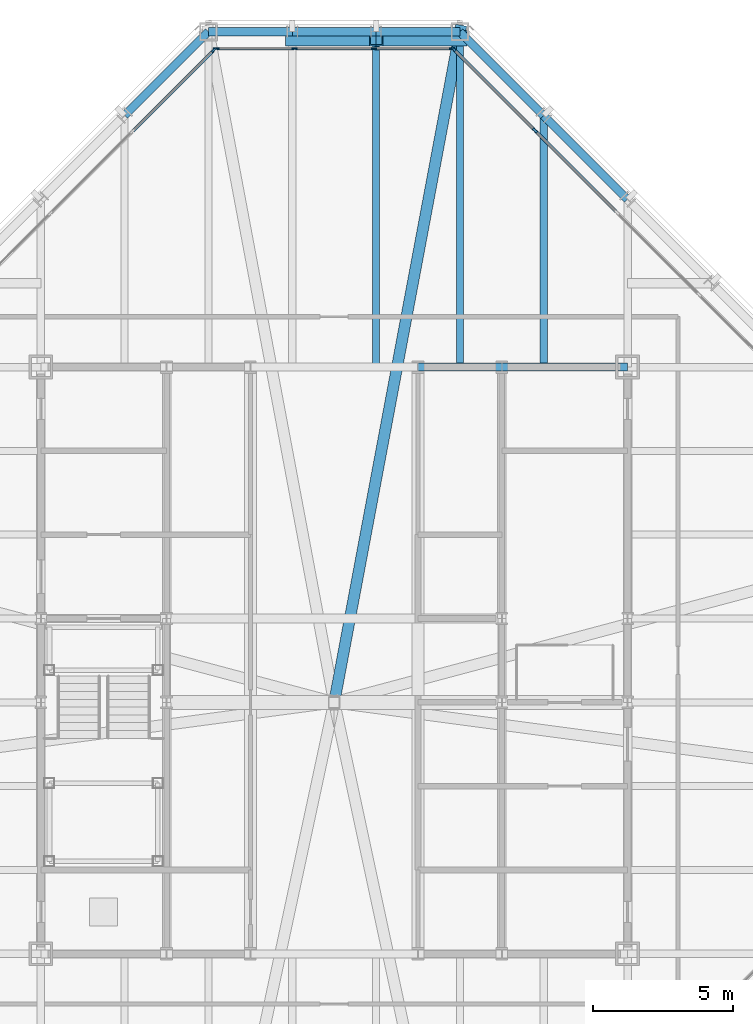
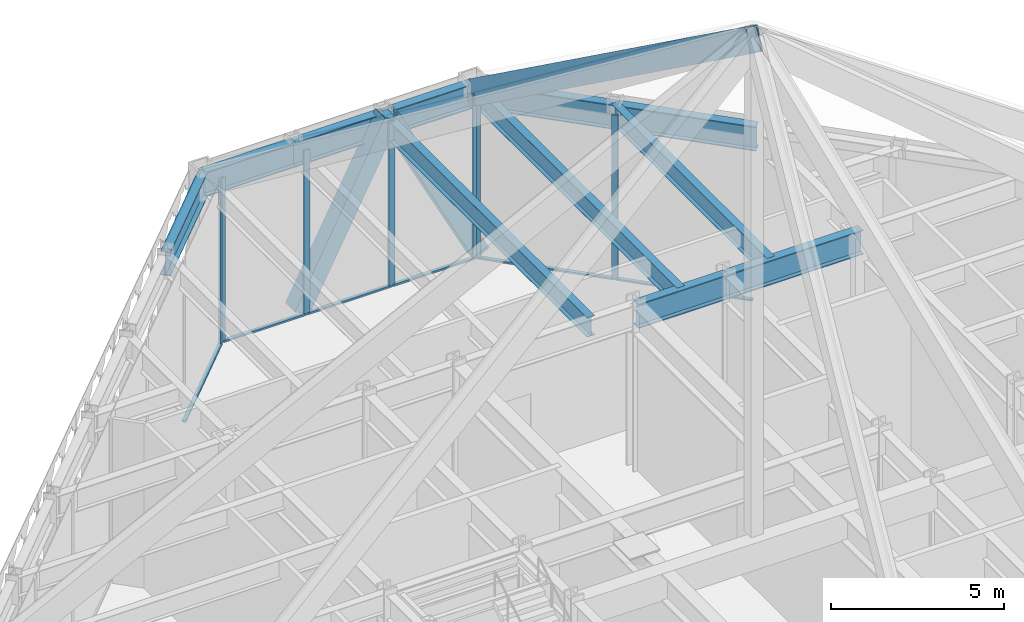
# One storey, part 11 of 30: 16 members, 11 beams, 3 elements without a shape of their own.
"""IFC4 building model written with IfcOpenShell, lengths in metres."""

import ifcopenshell
import ifcopenshell.guid

model = None  # the IFC model being written
_history = None  # IfcOwnerHistory: only IFC2X3 demands one
_inside = {}  # id of a spatial element -> (the spatial element, [elements in it])
_under = {}  # id of a project, library or spatial element -> (it, [spatial elements below it])
_declared = {}  # id of a project -> (the project, [libraries it declares])
_typed = {}  # id of a type object -> (the type object, [elements of that type])
_made_of = {}  # id of a material, layer set ... -> (it, [elements and type objects made of it])


def new_model(schema):
    """Start an empty IFC model of exactly this schema.

    Asked for "IFC4X3", IfcOpenShell would pick the latest addendum, in which some entities
    have other attributes; the version numbers below select the first issue.
    IFC2X3 requires an IfcOwnerHistory on every rooted entity: one is made here for all.
    """
    global model, _history
    if schema == "IFC4X3":
        model = ifcopenshell.file(schema_version=(4, 3, 0, 0))
    else:
        model = ifcopenshell.file(schema=schema)
    _inside.clear()
    _under.clear()
    _declared.clear()
    _typed.clear()
    _made_of.clear()
    _history = None
    if model.schema == "IFC2X3":
        org = make("IfcOrganization", Name="unknown")
        user = make(
            "IfcPersonAndOrganization",
            ThePerson=make("IfcPerson", FamilyName="unknown"),
            TheOrganization=org,
        )
        app = make(
            "IfcApplication",
            ApplicationDeveloper=org,
            Version="unknown",
            ApplicationFullName="unknown",
            ApplicationIdentifier="unknown",
        )
        _history = make(
            "IfcOwnerHistory",
            OwningUser=user,
            OwningApplication=app,
            ChangeAction="ADDED",
            CreationDate=0,
        )
    return model


def make(cls, **values):
    """One entity of the class cls with the attributes given. An attribute that is None is left unset."""
    return model.create_entity(
        cls, **{name: value for name, value in values.items() if value is not None}
    )


def rooted(cls, **values):
    """An entity with a GlobalId (a new one), such as an element, a storey or a relation."""
    return make(cls, GlobalId=ifcopenshell.guid.new(), OwnerHistory=_history, **values)


def si_unit(unit_type, name, prefix=None):
    """IfcSIUnit, for example si_unit("LENGTHUNIT", "METRE", prefix="MILLI")."""
    return make("IfcSIUnit", UnitType=unit_type, Prefix=prefix, Name=name)


def assignment(units):
    """IfcUnitAssignment: the units of a project."""
    return None if units is None else make("IfcUnitAssignment", Units=units)


def point(xyz):
    """IfcCartesianPoint."""
    return None if xyz is None else make("IfcCartesianPoint", Coordinates=xyz)


def direction(xyz):
    """IfcDirection."""
    return None if xyz is None else make("IfcDirection", DirectionRatios=xyz)


def frame(location, z_axis=None, x_axis=None):
    """IfcAxis2Placement3D, a coordinate frame: its origin and axes. An axis left out is left unset."""
    return make(
        "IfcAxis2Placement3D",
        Location=point(location),
        Axis=direction(z_axis),
        RefDirection=direction(x_axis),
    )


def frame_2d(location, x_axis=None):
    """IfcAxis2Placement2D, a coordinate frame in the plane: its origin and x axis."""
    return make(
        "IfcAxis2Placement2D", Location=point(location), RefDirection=direction(x_axis)
    )


def origin():
    """The frame at (0, 0, 0) with its axes left unset."""
    return frame((0.0, 0.0, 0.0))


def origin_2d():
    """The frame at (0, 0) in the plane with its x axis left unset."""
    return frame_2d((0.0, 0.0))


def place(relative_to, where):
    """IfcLocalPlacement: puts the frame where relative to a parent placement (None: the world)."""
    return make(
        "IfcLocalPlacement", PlacementRelTo=relative_to, RelativePlacement=where
    )


def context(
    kind, dimensions, precision=None, world=None, true_north=None, identifier=None
):
    """IfcGeometricRepresentationContext, for example the 3D "Model" context."""
    return make(
        "IfcGeometricRepresentationContext",
        ContextIdentifier=identifier,
        ContextType=kind,
        CoordinateSpaceDimension=dimensions,
        Precision=precision,
        WorldCoordinateSystem=world,
        TrueNorth=true_north,
    )


def subcontext(parent, identifier, kind, view, scale=None):
    """IfcGeometricRepresentationSubContext, for example "Body" below "Model"."""
    return make(
        "IfcGeometricRepresentationSubContext",
        ContextIdentifier=identifier,
        ContextType=kind,
        ParentContext=parent,
        TargetScale=scale,
        TargetView=view,
    )


def project(units=None, contexts=None):
    """IfcProject with its units and contexts."""
    return rooted(
        "IfcProject",
        Name="project",
        RepresentationContexts=contexts,
        UnitsInContext=assignment(units),
    )


def spatial(cls, under=None, at=None, **own):
    """A site, building, storey or space (cls), placed at a placement, below another one or the project."""
    s = rooted(cls, ObjectPlacement=at, **own)
    if under is not None:
        _under.setdefault(under.id(), (under, []))[1].append(s)
    return s


def profile(cls, at=None, kind="AREA", **sizes):
    """A parametric profile (cls). Its sizes go by their IFC names, for example OverallWidth=200.0."""
    return make(cls, ProfileType=kind, Position=at, **sizes)


def rectangle(**sizes):
    """IfcRectangleProfileDef."""
    return profile("IfcRectangleProfileDef", **sizes)


def hollow_rectangle(**sizes):
    """IfcRectangleHollowProfileDef."""
    return profile("IfcRectangleHollowProfileDef", **sizes)


def i_section(**sizes):
    """IfcIShapeProfileDef."""
    return profile("IfcIShapeProfileDef", **sizes)


def extrude(swept, where, along, depth):
    """IfcExtrudedAreaSolid: the profile swept, set in the frame where, extruded along a direction by depth."""
    return make(
        "IfcExtrudedAreaSolid",
        SweptArea=swept,
        Position=where,
        ExtrudedDirection=direction(along),
        Depth=depth,
    )


def shape(context_of_items, identifier, shape_type, items):
    """IfcShapeRepresentation: the items that make up one representation, for example the "Body"."""
    return make(
        "IfcShapeRepresentation",
        ContextOfItems=context_of_items,
        RepresentationIdentifier=identifier,
        RepresentationType=shape_type,
        Items=items,
    )


def material(Name=None, Category=None):
    """IfcMaterial."""
    return make("IfcMaterial", Name=Name, Category=Category)


def layer(
    of_material, thickness, ventilated=None, Name=None, Category=None, Priority=None
):
    """IfcMaterialLayer: one layer of a wall or slab, of a material (None: an air gap)."""
    return make(
        "IfcMaterialLayer",
        Material=of_material,
        LayerThickness=thickness,
        IsVentilated=ventilated,
        Name=Name,
        Category=Category,
        Priority=Priority,
    )


def layer_set(layers, Name=None):
    """IfcMaterialLayerSet."""
    return make("IfcMaterialLayerSet", MaterialLayers=layers, LayerSetName=Name)


def material_profile(
    of_material, cross_section, Name=None, Category=None, Priority=None
):
    """IfcMaterialProfile: a cross section and its material."""
    return make(
        "IfcMaterialProfile",
        Name=Name,
        Material=of_material,
        Profile=cross_section,
        Priority=Priority,
        Category=Category,
    )


def profile_set(profiles, Name=None, composite=None):
    """IfcMaterialProfileSet."""
    return make(
        "IfcMaterialProfileSet",
        Name=Name,
        MaterialProfiles=profiles,
        CompositeProfile=composite,
    )


def made_of(thing, what):
    """Note that an element or type object is made of a material, layer set ...; save() writes the relation."""
    if what is not None:
        _made_of.setdefault(what.id(), (what, []))[1].append(thing)
    return thing


def type_object(cls, material=None, **own):
    """A type object (cls), such as IfcWallType, which elements share."""
    return made_of(rooted(cls, **own), material)


def element(
    cls,
    number,
    at=None,
    inside=None,
    cuts=None,
    type_object=None,
    material=None,
    context=None,
    identifier="Body",
    shape_type=None,
    held_by="IfcProductDefinitionShape",
    body=None,
    shapes=None,
    **own,
):
    """One element of the class cls, such as IfcWall. Its Tag is "e" and its number.

    at: its placement. inside: the storey or other place that contains it. cuts: it is an
    opening in that element (IfcRelVoidsElement). A single representation is given by context,
    identifier, shape_type and body (its items); several are given by shapes. held_by: the class
    of the entity that holds the representations. save() writes the other relations.
    """
    e = rooted(cls, Tag="e%d" % number, ObjectPlacement=at, **own)
    if body is not None:
        shapes = [shape(context, identifier, shape_type, body)]
    if shapes is not None:
        e.Representation = make(held_by, Representations=shapes)
    if inside is not None:
        _inside.setdefault(inside.id(), (inside, []))[1].append(e)
    if cuts is not None:
        rooted(
            "IfcRelVoidsElement", RelatingBuildingElement=cuts, RelatedOpeningElement=e
        )
    if type_object is not None:
        _typed.setdefault(type_object.id(), (type_object, []))[1].append(e)
    return made_of(e, material)


def aggregate(whole, parts):
    """IfcRelAggregates: a whole, such as a stair, and the parts it consists of."""
    return rooted("IfcRelAggregates", RelatingObject=whole, RelatedObjects=parts)


def save(model, path):
    """Write the relations noted so far, then the file.

    IfcRelAggregates (storeys below a building ...), IfcRelContainedInSpatialStructure (elements
    in a storey), IfcRelDefinesByType, IfcRelAssociatesMaterial and IfcRelDeclares: one each for
    every whole, place, type object, material and project.
    """
    for whole, parts in _under.values():
        aggregate(whole, parts)
    for where, things in _inside.values():
        rooted(
            "IfcRelContainedInSpatialStructure",
            RelatedElements=things,
            RelatingStructure=where,
        )
    for kind, things in _typed.values():
        rooted("IfcRelDefinesByType", RelatedObjects=things, RelatingType=kind)
    for what, things in _made_of.values():
        rooted("IfcRelAssociatesMaterial", RelatedObjects=things, RelatingMaterial=what)
    for by, libraries in _declared.values():
        rooted("IfcRelDeclares", RelatingContext=by, RelatedDefinitions=libraries)
    model.write(path)


model = new_model("IFC4")

# Units and contexts
model_context = context("Model", 3, precision=1e-05, world=origin(), true_north=direction((0.0, 1.0)))
body_context = subcontext(model_context, "Body", "Model", "MODEL_VIEW")
ifc_project = project(units=[si_unit("LENGTHUNIT", "METRE"), si_unit("AREAUNIT", "SQUARE_METRE"), si_unit("VOLUMEUNIT", "CUBIC_METRE"), si_unit("PLANEANGLEUNIT", "RADIAN"), si_unit("MASSUNIT", "GRAM", prefix="KILO")], contexts=[model_context])

# Site, building, storey
site_placement = place(None, origin())
site = spatial("IfcSite", under=ifc_project, at=site_placement, CompositionType="ELEMENT")
building_placement = place(site_placement, origin())
building = spatial("IfcBuilding", under=site, at=building_placement, Name="Chuquiago Exchange Tower", CompositionType="ELEMENT")
storey_placement = place(building_placement, frame((0.0, 0.0, 306.0)))
storey = spatial("IfcBuildingStorey", under=building, at=storey_placement, Name="L68", CompositionType="ELEMENT", Elevation=306.0)

# Beams
ifc_material_1 = material(Name="Steel ASTM A992", Category="steel")
ifc_material_profile_1 = material_profile(ifc_material_1, i_section(OverallWidth=0.25390625, OverallDepth=0.683349609375, WebThickness=0.012451171875, FlangeThickness=0.018798828125, at=origin_2d()), Name="W27X94")
ifc_profile_set_1 = profile_set([ifc_material_profile_1], Name="Steel ASTM A992")
beam_type_1 = type_object("IfcBeamType", Name="B1 W27X94", PredefinedType="BEAM", material=ifc_profile_set_1)
for number, where, z_axis, x_axis, name in (
    (1, (24.0, 33.0, 5.45849609375), (0.0, 1.0, 0.0), (-1.0, 0.0, 0.0), "FB-ROOF-infill-24_33-24_45"),
    (2, (27.0, 33.0, 5.45849609375), (0.0, 1.0, 0.0), (-1.0, 0.0, 0.0), "FB-ROOF-infill-27_33-27_45"),
):
    element("IfcBeam", number, at=place(storey_placement, frame(where, z_axis=z_axis, x_axis=x_axis)), inside=storey, type_object=beam_type_1, Name=name, PredefinedType="BEAM", context=body_context, shape_type="SweptSolid", body=[
        extrude(i_section(OverallWidth=0.25390625, OverallDepth=0.683349609375, WebThickness=0.012451171875, FlangeThickness=0.018798828125, at=origin_2d()), origin(), (0.0, 0.0, 1.0), 12.0),
    ])
beam_1_placement = place(storey_placement, frame((30.0, 33.0, 5.45849609375), z_axis=(0.0, 1.0, 0.0), x_axis=(-1.0, 0.0, 0.0)))
element("IfcBeam", 3, at=beam_1_placement, inside=storey, type_object=beam_type_1, Name="FB-ROOF-infill-30_33-30_42", PredefinedType="BEAM", context=body_context, shape_type="SweptSolid", body=[
    extrude(i_section(OverallWidth=0.25390625, OverallDepth=0.683349609375, WebThickness=0.012451171875, FlangeThickness=0.018798828125, at=origin_2d()), origin(), (0.0, 0.0, 1.0), 9.0),
])
ifc_material_2 = material(Name="Steel ASTM A992", Category="steel")
ifc_material_profile_2 = material_profile(ifc_material_2, i_section(OverallWidth=0.2919921875, OverallDepth=0.8583984375, WebThickness=0.01708984375, FlangeThickness=0.031005859375, at=origin_2d()), Name="W33X169")
ifc_profile_set_2 = profile_set([ifc_material_profile_2], Name="Steel ASTM A992")
beam_type_2 = type_object("IfcBeamType", Name="B3 W33X169", PredefinedType="BEAM", material=ifc_profile_set_2)
beam_2_placement = place(storey_placement, frame((25.5, 33.0, 5.37060546875), z_axis=(1.0, 0.0, 0.0), x_axis=(0.0, 1.0, 0.0)))
element("IfcBeam", 4, at=beam_2_placement, inside=storey, type_object=beam_type_2, Name="CB-ROOF-25.5_33-28.5_33", PredefinedType="BEAM", context=body_context, shape_type="SweptSolid", body=[
    extrude(i_section(OverallWidth=0.2919921875, OverallDepth=0.8583984375, WebThickness=0.01708984375, FlangeThickness=0.031005859375, at=origin_2d()), origin(), (0.0, 0.0, 1.0), 3.0),
])
beam_3_placement = place(storey_placement, frame((28.5, 33.0, 5.37060546875), z_axis=(1.0, 0.0, 0.0), x_axis=(0.0, 1.0, 0.0)))
element("IfcBeam", 5, at=beam_3_placement, inside=storey, type_object=beam_type_2, Name="CB-ROOF-28.5_33-33_33", PredefinedType="BEAM", context=body_context, shape_type="SweptSolid", body=[
    extrude(i_section(OverallWidth=0.2919921875, OverallDepth=0.8583984375, WebThickness=0.01708984375, FlangeThickness=0.031005859375, at=origin_2d()), origin(), (0.0, 0.0, 1.0), 4.5),
])

# Member
ifc_material_3 = material(Name="Steel ASTM A572 Grade 50", Category="steel")
ifc_material_profile_3 = material_profile(ifc_material_3, hollow_rectangle(XDim=0.39990234375, YDim=0.800048828125, WallThickness=0.0400390625, at=origin_2d()), Name="BOX800X400X40")
ifc_profile_set_3 = profile_set([ifc_material_profile_3], Name="Steel ASTM A572 Grade 50")
member_type_1 = type_object("IfcMemberType", Name="CR1 BOX800X400X40", PredefinedType="RAFTER", material=ifc_profile_set_3)
member_1_placement = place(storey_placement, frame((27.0, 45.0, 5.39208984375), z_axis=(-0.14834045293, -0.791149082295, 0.593361811721), x_axis=(0.982872186934, -0.18428853505, 0.0)))
element("IfcMember", 6, at=member_1_placement, inside=storey, type_object=member_type_1, Name="Crown hip rafter at 27_45", PredefinedType="RAFTER", context=body_context, shape_type="SweptSolid", body=[
    extrude(hollow_rectangle(XDim=0.39990234375, YDim=0.800048828125, WallThickness=0.0400390625, at=origin_2d()), origin(), (0.0, 0.0, 1.0), 30.335693359375),
])

# Curtain wall, members
ifc_material_4 = material(Name="Aluminium curtain wall system", Category="aluminium")
ifc_layer = layer(ifc_material_4, 0.199951171875)
ifc_layer_set = layer_set([ifc_layer], Name="CW5 lantern curtain wall")
curtain_wall_type = type_object("IfcCurtainWallType", Name="CW5 lantern curtain wall", PredefinedType="NOTDEFINED", material=ifc_layer_set)
curtain_wall_1_placement = place(storey_placement, origin())
curtain_wall_1 = element("IfcCurtainWall", 7, at=curtain_wall_1_placement, inside=storey, type_object=curtain_wall_type, Name="CW5 curtain wall L68", PredefinedType="NOTDEFINED")
ifc_material_5 = material(Name="Aluminium mullion, pale anodised", Category="aluminium")
ifc_material_profile_4 = material_profile(ifc_material_5, rectangle(XDim=0.06005859375, YDim=0.199951171875, at=origin_2d()), Name="AL 60x200")
ifc_profile_set_4 = profile_set([ifc_material_profile_4], Name="Aluminium mullion, pale anodised")
member_type_2 = type_object("IfcMemberType", Name="CW5-M mullion 60x200", PredefinedType="MULLION", material=ifc_profile_set_4)
member_2_placement = place(storey_placement, frame((29.68701171875, 41.46435546875, 0.0), z_axis=(0.0, 0.0, 1.0), x_axis=(-0.707108788515, -0.707104773852, 0.0)))
member_2 = element("IfcMember", 8, at=member_2_placement, type_object=member_type_2, Name="CW5 mullion 6", PredefinedType="MULLION", context=body_context, shape_type="SweptSolid", body=[
    extrude(rectangle(XDim=0.06005859375, YDim=0.199951171875, at=origin_2d()), origin(), (0.0, 0.0, 1.0), 5.800048828125),
])
member_3_placement = place(storey_placement, frame((26.772705078125, 44.37890625, 0.0), z_axis=(0.0, 0.0, 1.0), x_axis=(-0.707108788515, -0.707104773852, 0.0)))
member_3 = element("IfcMember", 9, at=member_3_placement, type_object=member_type_2, Name="CW5 mullion 7", PredefinedType="MULLION", context=body_context, shape_type="SweptSolid", body=[
    extrude(rectangle(XDim=0.06005859375, YDim=0.199951171875, at=origin_2d()), origin(), (0.0, 0.0, 1.0), 5.800048828125),
])

curtain_wall_2_placement = place(storey_placement, origin())
curtain_wall_2 = element("IfcCurtainWall", 10, at=curtain_wall_2_placement, inside=storey, type_object=curtain_wall_type, Name="CW5 curtain wall L68", PredefinedType="NOTDEFINED")
member_4_placement = place(storey_placement, frame((26.721435546875, 44.39990234375, 0.0), z_axis=(0.0, 0.0, 1.0), x_axis=(0.0, -1.0, 0.0)))
member_4 = element("IfcMember", 11, at=member_4_placement, type_object=member_type_2, Name="CW5 mullion 1", PredefinedType="MULLION", context=body_context, shape_type="SweptSolid", body=[
    extrude(rectangle(XDim=0.06005859375, YDim=0.199951171875, at=origin_2d()), origin(), (0.0, 0.0, 1.0), 5.800048828125),
])
member_5_placement = place(storey_placement, frame((23.917236328125, 44.39990234375, 0.0), z_axis=(0.0, 0.0, 1.0), x_axis=(0.0, -1.0, 0.0)))
member_5 = element("IfcMember", 12, at=member_5_placement, type_object=member_type_2, Name="CW5 mullion 2", PredefinedType="MULLION", context=body_context, shape_type="SweptSolid", body=[
    extrude(rectangle(XDim=0.06005859375, YDim=0.199951171875, at=origin_2d()), origin(), (0.0, 0.0, 1.0), 5.800048828125),
])
member_6_placement = place(storey_placement, frame((21.082763671875, 44.39990234375, 0.0), z_axis=(0.0, 0.0, 1.0), x_axis=(0.0, -1.0, 0.0)))
member_6 = element("IfcMember", 13, at=member_6_placement, type_object=member_type_2, Name="CW5 mullion 3", PredefinedType="MULLION", context=body_context, shape_type="SweptSolid", body=[
    extrude(rectangle(XDim=0.06005859375, YDim=0.199951171875, at=origin_2d()), origin(), (0.0, 0.0, 1.0), 5.800048828125),
])
member_7_placement = place(storey_placement, frame((18.278564453125, 44.39990234375, 0.0), z_axis=(0.0, 0.0, 1.0), x_axis=(0.0, -1.0, 0.0)))
member_7 = element("IfcMember", 14, at=member_7_placement, type_object=member_type_2, Name="CW5 mullion 4", PredefinedType="MULLION", context=body_context, shape_type="SweptSolid", body=[
    extrude(rectangle(XDim=0.06005859375, YDim=0.199951171875, at=origin_2d()), origin(), (0.0, 0.0, 1.0), 5.800048828125),
])

# Curtain wall, member
curtain_wall_3_placement = place(storey_placement, origin())
curtain_wall_3 = element("IfcCurtainWall", 15, at=curtain_wall_3_placement, inside=storey, type_object=curtain_wall_type, Name="CW5 curtain wall L68", PredefinedType="NOTDEFINED")
member_8_placement = place(storey_placement, frame((18.19189453125, 44.343505859375, 0.0), z_axis=(0.0, 0.0, 1.0), x_axis=(0.707104773852, -0.707108788515, 0.0)))
member_8 = element("IfcMember", 16, at=member_8_placement, type_object=member_type_2, Name="CW5 mullion 1", PredefinedType="MULLION", context=body_context, shape_type="SweptSolid", body=[
    extrude(rectangle(XDim=0.06005859375, YDim=0.199951171875, at=origin_2d()), origin(), (0.0, 0.0, 1.0), 5.800048828125),
])

# Member
ifc_material_6 = material(Name="Aluminium transom, pale anodised", Category="aluminium")
ifc_material_profile_5 = material_profile(ifc_material_6, rectangle(XDim=0.1201171875, YDim=0.06005859375, at=origin_2d()), Name="AL 120x60")
ifc_profile_set_5 = profile_set([ifc_material_profile_5], Name="Aluminium transom, pale anodised")
member_type_3 = type_object("IfcMemberType", Name="CW5-T transom 60x120", PredefinedType="MULLION", material=ifc_profile_set_5)
member_9_placement = place(storey_placement, frame((32.601318359375, 38.550048828125, 0.030029296875), z_axis=(-0.707076946087, 0.707136615027, 0.0), x_axis=(-0.707136615027, -0.707076946087, 0.0)))
member_9 = element("IfcMember", 17, at=member_9_placement, type_object=member_type_3, Name="CW5 transom 5.1", PredefinedType="MULLION", context=body_context, shape_type="SweptSolid", body=[
    extrude(rectangle(XDim=0.1201171875, YDim=0.06005859375, at=origin_2d()), origin(), (0.0, 0.0, 1.0), 4.091552734375),
])

member_10_placement = place(storey_placement, frame((29.665771484375, 41.485595703125, 0.030029296875), z_axis=(-0.707076725429, 0.707136835667, 0.0), x_axis=(-0.707136835667, -0.707076725429, 0.0)))
member_10 = element("IfcMember", 18, at=member_10_placement, type_object=member_type_3, Name="CW5 transom 6.1", PredefinedType="MULLION", context=body_context, shape_type="SweptSolid", body=[
    extrude(rectangle(XDim=0.1201171875, YDim=0.06005859375, at=origin_2d()), origin(), (0.0, 0.0, 1.0), 4.0615234375),
])

aggregate(curtain_wall_1, [member_2, member_3, member_9, member_10])

member_11_placement = place(storey_placement, frame((26.69140625, 44.39990234375, 0.030029296875), z_axis=(-1.0, 0.0, 0.0), x_axis=(0.0, -1.0, 0.0)))
member_11 = element("IfcMember", 19, at=member_11_placement, type_object=member_type_3, Name="CW5 transom 1.1", PredefinedType="MULLION", context=body_context, shape_type="SweptSolid", body=[
    extrude(rectangle(XDim=0.1201171875, YDim=0.06005859375, at=origin_2d()), origin(), (0.0, 0.0, 1.0), 2.744140625),
])

member_12_placement = place(storey_placement, frame((23.88720703125, 44.39990234375, 0.030029296875), z_axis=(-1.0, 0.0, 0.0), x_axis=(0.0, -1.0, 0.0)))
member_12 = element("IfcMember", 20, at=member_12_placement, type_object=member_type_3, Name="CW5 transom 2.1", PredefinedType="MULLION", context=body_context, shape_type="SweptSolid", body=[
    extrude(rectangle(XDim=0.1201171875, YDim=0.06005859375, at=origin_2d()), origin(), (0.0, 0.0, 1.0), 2.7744140625),
])

member_13_placement = place(storey_placement, frame((21.052734375, 44.39990234375, 0.030029296875), z_axis=(-1.0, 0.0, 0.0), x_axis=(0.0, -1.0, 0.0)))
member_13 = element("IfcMember", 21, at=member_13_placement, type_object=member_type_3, Name="CW5 transom 3.1", PredefinedType="MULLION", context=body_context, shape_type="SweptSolid", body=[
    extrude(rectangle(XDim=0.1201171875, YDim=0.06005859375, at=origin_2d()), origin(), (0.0, 0.0, 1.0), 2.744140625),
])

aggregate(curtain_wall_2, [member_4, member_5, member_6, member_7, member_11, member_12, member_13])

member_14_placement = place(storey_placement, frame((18.170654296875, 44.322265625, 0.030029296875), z_axis=(-0.707076725429, -0.707136835667, 0.0), x_axis=(0.707136835667, -0.707076725429, 0.0)))
member_14 = element("IfcMember", 22, at=member_14_placement, type_object=member_type_3, Name="CW5 transom 1.1", PredefinedType="MULLION", context=body_context, shape_type="SweptSolid", body=[
    extrude(rectangle(XDim=0.1201171875, YDim=0.06005859375, at=origin_2d()), origin(), (0.0, 0.0, 1.0), 4.0615234375),
])

aggregate(curtain_wall_3, [member_8, member_14])

# Members
ifc_material_7 = material(Name="Steel ASTM A572 Grade 50", Category="steel")
ifc_material_profile_6 = material_profile(ifc_material_7, hollow_rectangle(XDim=0.550048828125, YDim=0.550048828125, WallThickness=0.044921875, at=origin_2d()), Name="BOX550X550X45")
ifc_profile_set_6 = profile_set([ifc_material_profile_6], Name="Steel ASTM A572 Grade 50")
member_type_4 = type_object("IfcMemberType", Name="MB4 BOX550X550X45", PredefinedType="BRACE", material=ifc_profile_set_6)
for number, where, z_axis, x_axis, name in (
    (23, (27.0, 44.77001953125, 0.0), (-0.459419867531, 0.0, 0.88821922143), (0.0, -1.0, 0.0), "Mega diagonal L68 N face"),
    (24, (21.0, 44.77001953125, 0.0), (0.459419867531, 0.0, 0.88821922143), (0.0, 1.0, 0.0), "Mega diagonal L68 N face"),
):
    element("IfcMember", number, at=place(storey_placement, frame(where, z_axis=z_axis, x_axis=x_axis)), inside=storey, type_object=member_type_4, Name=name, PredefinedType="BRACE", context=body_context, shape_type="SweptSolid", body=[
        extrude(hollow_rectangle(XDim=0.550048828125, YDim=0.550048828125, WallThickness=0.044921875, at=origin_2d()), origin(), (0.0, 0.0, 1.0), 6.530029296875),
    ])

# Beams
ifc_material_8 = material(Name="Steel ASTM A992", Category="steel")
ifc_material_profile_7 = material_profile(ifc_material_8, i_section(OverallWidth=0.2919921875, OverallDepth=0.8583984375, WebThickness=0.01708984375, FlangeThickness=0.031005859375, at=origin_2d()), Name="W33X169")
ifc_profile_set_7 = profile_set([ifc_material_profile_7], Name="Steel ASTM A992")
beam_type_3 = type_object("IfcBeamType", Name="SP4 W33X169", PredefinedType="SPANDREL", material=ifc_profile_set_7)
for number, where, z_axis, x_axis, name in (
    (25, (33.0, 39.0, 5.37060546875), (-0.707106781187, 0.707106781187, 0.0), (-0.707106781187, -0.707106781187, 0.0), "SPB-ROOF-33_39-30_42"),
    (26, (30.0, 42.0, 5.37060546875), (-0.707106781187, 0.707106781187, 0.0), (-0.707106781187, -0.707106781187, 0.0), "SPB-ROOF-30_42-27_45"),
):
    element("IfcBeam", number, at=place(storey_placement, frame(where, z_axis=z_axis, x_axis=x_axis)), inside=storey, type_object=beam_type_3, Name=name, PredefinedType="SPANDREL", context=body_context, shape_type="SweptSolid", body=[
        extrude(i_section(OverallWidth=0.2919921875, OverallDepth=0.8583984375, WebThickness=0.01708984375, FlangeThickness=0.031005859375, at=origin_2d()), origin(), (0.0, 0.0, 1.0), 4.24267578125),
    ])
for number, where, z_axis, x_axis, name in (
    (27, (27.0, 45.0, 5.37060546875), (-1.0, 0.0, 0.0), (0.0, -1.0, 0.0), "SPB-ROOF-27_45-24_45"),
    (28, (24.0, 45.0, 5.37060546875), (-1.0, 0.0, 0.0), (0.0, -1.0, 0.0), "SPB-ROOF-24_45-21_45"),
    (29, (21.0, 45.0, 5.37060546875), (-1.0, 0.0, 0.0), (0.0, -1.0, 0.0), "SPB-ROOF-21_45-18_45"),
):
    element("IfcBeam", number, at=place(storey_placement, frame(where, z_axis=z_axis, x_axis=x_axis)), inside=storey, type_object=beam_type_3, Name=name, PredefinedType="SPANDREL", context=body_context, shape_type="SweptSolid", body=[
        extrude(i_section(OverallWidth=0.2919921875, OverallDepth=0.8583984375, WebThickness=0.01708984375, FlangeThickness=0.031005859375, at=origin_2d()), origin(), (0.0, 0.0, 1.0), 3.0),
    ])
beam_4_placement = place(storey_placement, frame((18.0, 45.0, 5.37060546875), z_axis=(-0.707106781187, -0.707106781187, 0.0), x_axis=(0.707106781187, -0.707106781187, 0.0)))
element("IfcBeam", 30, at=beam_4_placement, inside=storey, type_object=beam_type_3, Name="SPB-ROOF-18_45-15_42", PredefinedType="SPANDREL", context=body_context, shape_type="SweptSolid", body=[
    extrude(i_section(OverallWidth=0.2919921875, OverallDepth=0.8583984375, WebThickness=0.01708984375, FlangeThickness=0.031005859375, at=origin_2d()), origin(), (0.0, 0.0, 1.0), 4.24267578125),
])

save(model, "model.ifc")
